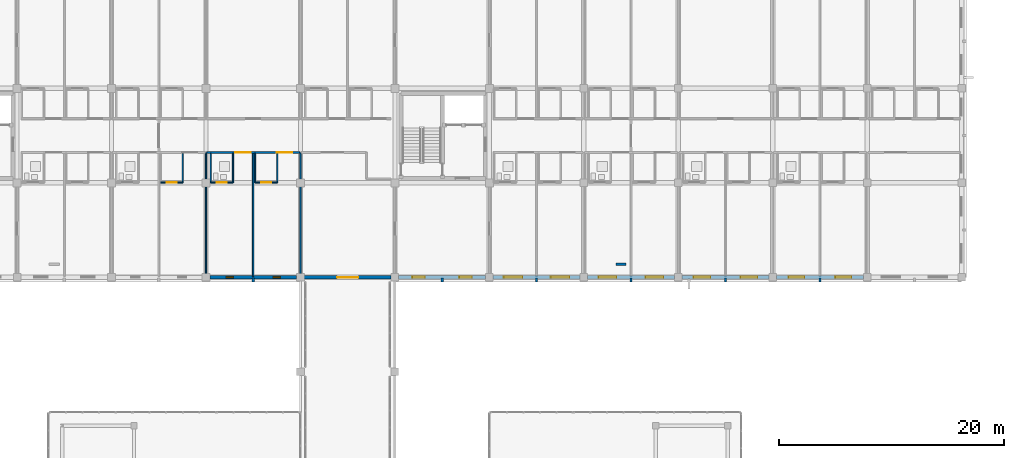
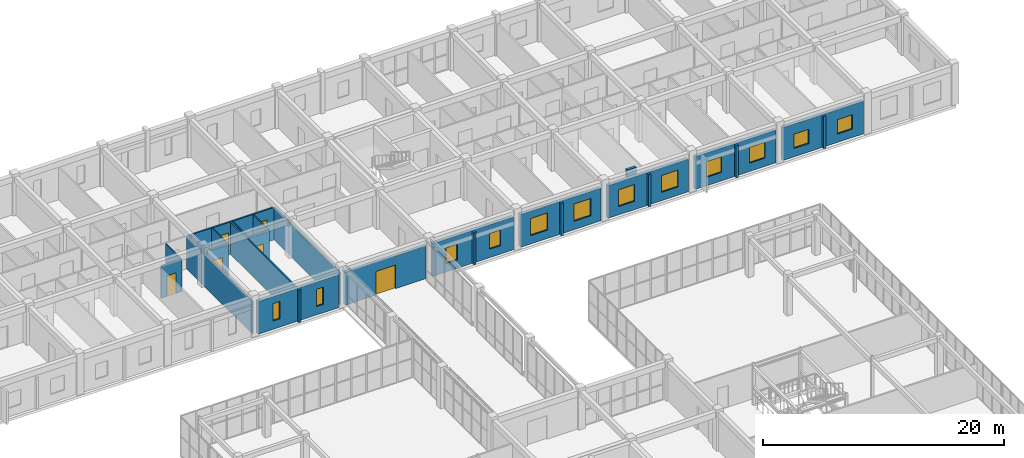
# One storey, part 119 of 140: 26 walls, 12 windows, 6 doors, 18 openings.
"""IFC4 building model written with IfcOpenShell, lengths in metres."""

from ifc_helpers import new_model, si_unit, direction, frame, frame_2d, origin, place, context, subcontext, project, spatial, rectangle, extrude, material, layer, layer_set, type_object, element, fill, save


model = new_model("IFC4")

# Units and contexts
model_context = context("Model", 3, precision=1e-05, world=origin(), true_north=direction((0.0, 1.0)))
body_context = subcontext(model_context, "Body", "Model", "MODEL_VIEW")
ifc_project = project(units=[si_unit("LENGTHUNIT", "METRE"), si_unit("AREAUNIT", "SQUARE_METRE"), si_unit("VOLUMEUNIT", "CUBIC_METRE"), si_unit("PLANEANGLEUNIT", "RADIAN"), si_unit("MASSUNIT", "GRAM", prefix="KILO")], contexts=[model_context])

# Site, building, storey
site_placement = place(None, origin())
site = spatial("IfcSite", under=ifc_project, at=site_placement, CompositionType="ELEMENT")
building_placement = place(site_placement, origin())
building = spatial("IfcBuilding", under=site, at=building_placement, Name="Trelvath General Hospital", CompositionType="ELEMENT")
storey_placement = place(building_placement, frame((0.0, 0.0, 16.199951171875)))
storey = spatial("IfcBuildingStorey", under=building, at=storey_placement, Name="L04", CompositionType="ELEMENT", Elevation=16.199951171875)

# Walls
ifc_material_1 = material(Name="Precast concrete C40/50", Category="concrete")
ifc_layer_1 = layer(ifc_material_1, 0.199951171875)
ifc_layer_set_1 = layer_set([ifc_layer_1], Name="Precast concrete C40/50")
wall_type_1 = type_object("IfcWallType", Name="BriseSoleilRib 200", PredefinedType="ELEMENTEDWALL", material=ifc_layer_set_1)
for number, where, z_axis, x_axis, name in (
    (1, (71.39990234375, 92.324951171875, 0.0), (0.0, 0.0, 1.0), (0.0, -1.0, 0.0), "Precast Concrete Brise-Soleil Rib Fin L04-332"),
    (2, (88.199951171875, 92.324951171875, 0.0), (0.0, 0.0, 1.0), (0.0, -1.0, 0.0), "Precast Concrete Brise-Soleil Rib Fin L04-338"),
    (3, (96.60009765625, 92.324951171875, 0.0), (0.0, 0.0, 1.0), (0.0, -1.0, 0.0), "Precast Concrete Brise-Soleil Rib Fin L04-341"),
    (4, (105.0, 92.324951171875, 0.0), (0.0, 0.0, 1.0), (0.0, -1.0, 0.0), "Precast Concrete Brise-Soleil Rib Fin L04-344"),
    (5, (113.39990234375, 92.324951171875, 0.0), (0.0, 0.0, 1.0), (0.0, -1.0, 0.0), "Precast Concrete Brise-Soleil Rib Fin L04-348"),
    (6, (121.800048828125, 92.324951171875, 0.0), (0.0, 0.0, 1.0), (0.0, -1.0, 0.0), "Precast Concrete Brise-Soleil Rib Fin L04-350"),
):
    element("IfcWall", number, at=place(storey_placement, frame(where, z_axis=z_axis, x_axis=x_axis)), inside=storey, type_object=wall_type_1, Name=name, PredefinedType="ELEMENTEDWALL", context=body_context, shape_type="SweptSolid", body=[
        extrude(rectangle(XDim=0.33984375, YDim=0.199951171875, at=frame_2d((0.169921875, 0.0))), origin(), (0.0, 0.0, 1.0), 3.300048828125),
    ])

# Wall, openings, doors
ifc_material_2 = material(Name="Gypsum acoustic steel-stud partition", Category="steel")
ifc_layer_2 = layer(ifc_material_2, 0.14990234375)
ifc_layer_set_2 = layer_set([ifc_layer_2], Name="Gypsum acoustic steel-stud partition")
wall_type_2 = type_object("IfcWallType", Name="ClinicalPartition 150", PredefinedType="PARTITIONING", material=ifc_layer_set_2)
wall_1_placement = place(storey_placement, frame((67.280029296875, 103.5, 0.0), z_axis=(0.0, 0.0, 1.0), x_axis=(1.0, 0.0, 0.0)))
wall_1 = element("IfcWall", 7, at=wall_1_placement, inside=storey, type_object=wall_type_2, Name="Corridor Partition L04-1612", PredefinedType="PARTITIONING", context=body_context, shape_type="SweptSolid", body=[
    extrude(rectangle(XDim=8.239990234375, YDim=0.14990234375, at=frame_2d((4.1201171875, 0.0))), origin(), (0.0, 0.0, 1.0), 3.300048828125),
])
opening_1_placement = place(wall_1_placement, frame((2.530029296875, 0.0, 0.0)))
opening_1 = element("IfcOpeningElement", 8, at=opening_1_placement, cuts=wall_1, Name="Opening D-4-1096", PredefinedType="OPENING", context=body_context, shape_type="SweptSolid", body=[
    extrude(rectangle(XDim=1.35009765625, YDim=2.25, at=frame_2d((0.675048828125, 1.125))), frame((0.0, 0.0849609375, 0.0), z_axis=(0.0, -1.0, 0.0), x_axis=(1.0, 0.0, 0.0)), (0.0, 0.0, 1.0), 0.169921875),
])
opening_2_placement = place(wall_1_placement, frame((6.22998046875, 0.0, 0.0)))
opening_2 = element("IfcOpeningElement", 9, at=opening_2_placement, cuts=wall_1, Name="Opening D-4-1097", PredefinedType="OPENING", context=body_context, shape_type="SweptSolid", body=[
    extrude(rectangle(XDim=1.35009765625, YDim=2.25, at=frame_2d((0.675048828125, 1.125))), frame((0.0, 0.0849609375, 0.0), z_axis=(0.0, -1.0, 0.0), x_axis=(1.0, 0.0, 0.0)), (0.0, 0.0, 1.0), 0.169921875),
])
ifc_material_3 = material(Name="Airtight isolation bed door")
door_type_1 = type_object("IfcDoorType", Name="Door PatientIso 1350x2250", OperationType="NOTDEFINED", PredefinedType="DOOR", material=ifc_material_3)
door_1_placement = place(opening_1_placement, origin())
door_1 = element("IfcDoor", 10, at=door_1_placement, inside=storey, type_object=door_type_1, Name="Patient Room Door L04-1096", OperationType="SINGLE_SWING_RIGHT", OverallHeight=2.25, OverallWidth=1.35009765625, PredefinedType="DOOR", context=body_context, shape_type="SweptSolid", body=[
    extrude(rectangle(XDim=1.35009765625, YDim=2.25, at=frame_2d((0.675048828125, 1.125))), frame((0.0, 0.02490234375, 0.0), z_axis=(0.0, -1.0, 0.0), x_axis=(1.0, 0.0, 0.0)), (0.0, 0.0, 1.0), 0.050048828125),
])
fill(opening_1, door_1)
door_2_placement = place(opening_2_placement, origin())
door_2 = element("IfcDoor", 11, at=door_2_placement, inside=storey, type_object=door_type_1, Name="Patient Room Door L04-1097", OperationType="SINGLE_SWING_LEFT", OverallHeight=2.25, OverallWidth=1.35009765625, PredefinedType="DOOR", context=body_context, shape_type="SweptSolid", body=[
    extrude(rectangle(XDim=1.35009765625, YDim=2.25, at=frame_2d((0.675048828125, 1.125))), frame((0.0, 0.02490234375, 0.0), z_axis=(0.0, -1.0, 0.0), x_axis=(1.0, 0.0, 0.0)), (0.0, 0.0, 1.0), 0.050048828125),
])
fill(opening_2, door_2)

# Wall
ifc_material_4 = material(Name="Moisture-resistant tile partition")
ifc_layer_3 = layer(ifc_material_4, 0.110107421875)
ifc_layer_set_3 = layer_set([ifc_layer_3], Name="Moisture-resistant tile partition")
wall_type_3 = type_object("IfcWallType", Name="EnSuiteWetWall 110", PredefinedType="PARTITIONING", material=ifc_layer_set_3)
wall_2_placement = place(storey_placement, frame((65.139892578125, 100.820068359375, 0.0), z_axis=(0.0, 0.0, 1.0), x_axis=(0.0, 1.0, 0.0)))
element("IfcWall", 12, at=wall_2_placement, inside=storey, type_object=wall_type_3, Name="En-Suite E Wall L04-1599", PredefinedType="PARTITIONING", context=body_context, shape_type="SweptSolid", body=[
    extrude(rectangle(XDim=2.60986328125, YDim=0.110107421875, at=frame_2d((1.304931640625, 0.0))), origin(), (0.0, 0.0, 1.0), 3.300048828125),
])

# Wall, opening, door
wall_3_placement = place(storey_placement, frame((63.159912109375, 100.820068359375, 0.0), z_axis=(0.0, 0.0, 1.0), x_axis=(1.0, 0.0, 0.0)))
wall_3 = element("IfcWall", 13, at=wall_3_placement, inside=storey, type_object=wall_type_3, Name="En-Suite Bathroom Partition L04-1600", PredefinedType="PARTITIONING", context=body_context, shape_type="SweptSolid", body=[
    extrude(rectangle(XDim=1.97998046875, YDim=0.110107421875, at=frame_2d((0.989990234375, 0.0))), origin(), (0.0, 0.0, 1.0), 3.300048828125),
])
opening_3_placement = place(wall_3_placement, frame((0.5400390625, 0.0, 0.0)))
opening_3 = element("IfcOpeningElement", 14, at=opening_3_placement, cuts=wall_3, Name="Opening D-4-1090", PredefinedType="OPENING", context=body_context, shape_type="SweptSolid", body=[
    extrude(rectangle(XDim=0.89990234375, YDim=2.10009765625, at=frame_2d((0.449951171875, 1.050048828125))), frame((0.0, 0.06494140625, 0.0), z_axis=(0.0, -1.0, 0.0), x_axis=(1.0, 0.0, 0.0)), (0.0, 0.0, 1.0), 0.130126953125),
])
ifc_material_5 = material(Name="Moisture-sealed timber leaf", Category="wood")
door_type_2 = type_object("IfcDoorType", Name="Door EnSuite 900x2100", OperationType="NOTDEFINED", PredefinedType="DOOR", material=ifc_material_5)
door_3_placement = place(opening_3_placement, origin())
door_3 = element("IfcDoor", 15, at=door_3_placement, inside=storey, type_object=door_type_2, Name="En-Suite Bathroom Door L04-1090", OperationType="SINGLE_SWING_RIGHT", OverallHeight=2.10009765625, OverallWidth=0.89990234375, PredefinedType="DOOR", context=body_context, shape_type="SweptSolid", body=[
    extrude(rectangle(XDim=0.89990234375, YDim=2.10009765625, at=frame_2d((0.449951171875, 1.050048828125))), frame((0.0, 0.02490234375, 0.0), z_axis=(0.0, -1.0, 0.0), x_axis=(1.0, 0.0, 0.0)), (0.0, 0.0, 1.0), 0.050048828125),
])
fill(opening_3, door_3)

# Walls
for number, where, z_axis, x_axis, name in (
    (16, (67.6201171875, 100.820068359375, 0.0), (0.0, 0.0, 1.0), (0.0, 1.0, 0.0), "En-Suite W Wall L04-1614"),
    (17, (69.60009765625, 100.820068359375, 0.0), (0.0, 0.0, 1.0), (0.0, 1.0, 0.0), "En-Suite E Wall L04-1615"),
):
    element("IfcWall", number, at=place(storey_placement, frame(where, z_axis=z_axis, x_axis=x_axis)), inside=storey, type_object=wall_type_3, Name=name, PredefinedType="PARTITIONING", context=body_context, shape_type="SweptSolid", body=[
        extrude(rectangle(XDim=2.60986328125, YDim=0.110107421875, at=frame_2d((1.304931640625, 0.0))), origin(), (0.0, 0.0, 1.0), 3.300048828125),
    ])

# Wall, opening, door
wall_4_placement = place(storey_placement, frame((67.6201171875, 100.820068359375, 0.0), z_axis=(0.0, 0.0, 1.0), x_axis=(1.0, 0.0, 0.0)))
wall_4 = element("IfcWall", 18, at=wall_4_placement, inside=storey, type_object=wall_type_3, Name="En-Suite Bathroom Partition L04-1616", PredefinedType="PARTITIONING", context=body_context, shape_type="SweptSolid", body=[
    extrude(rectangle(XDim=1.97998046875, YDim=0.110107421875, at=frame_2d((0.989990234375, 0.0))), origin(), (0.0, 0.0, 1.0), 3.300048828125),
])
opening_4_placement = place(wall_4_placement, frame((0.5400390625, 0.0, 0.0)))
opening_4 = element("IfcOpeningElement", 19, at=opening_4_placement, cuts=wall_4, Name="Opening D-4-1098", PredefinedType="OPENING", context=body_context, shape_type="SweptSolid", body=[
    extrude(rectangle(XDim=0.89990234375, YDim=2.10009765625, at=frame_2d((0.449951171875, 1.050048828125))), frame((0.0, 0.06494140625, 0.0), z_axis=(0.0, -1.0, 0.0), x_axis=(1.0, 0.0, 0.0)), (0.0, 0.0, 1.0), 0.130126953125),
])
door_4_placement = place(opening_4_placement, origin())
door_4 = element("IfcDoor", 20, at=door_4_placement, inside=storey, type_object=door_type_2, Name="En-Suite Bathroom Door L04-1098", OperationType="SINGLE_SWING_RIGHT", OverallHeight=2.10009765625, OverallWidth=0.89990234375, PredefinedType="DOOR", context=body_context, shape_type="SweptSolid", body=[
    extrude(rectangle(XDim=0.89990234375, YDim=2.10009765625, at=frame_2d((0.449951171875, 1.050048828125))), frame((0.0, 0.02490234375, 0.0), z_axis=(0.0, -1.0, 0.0), x_axis=(1.0, 0.0, 0.0)), (0.0, 0.0, 1.0), 0.050048828125),
])
fill(opening_4, door_4)

# Walls
for number, where, z_axis, x_axis, name in (
    (21, (71.56005859375, 100.820068359375, 0.0), (0.0, 0.0, 1.0), (0.0, 1.0, 0.0), "En-Suite W Wall L04-1617"),
    (22, (73.5400390625, 100.820068359375, 0.0), (0.0, 0.0, 1.0), (0.0, 1.0, 0.0), "En-Suite E Wall L04-1618"),
):
    element("IfcWall", number, at=place(storey_placement, frame(where, z_axis=z_axis, x_axis=x_axis)), inside=storey, type_object=wall_type_3, Name=name, PredefinedType="PARTITIONING", context=body_context, shape_type="SweptSolid", body=[
        extrude(rectangle(XDim=2.60986328125, YDim=0.110107421875, at=frame_2d((1.304931640625, 0.0))), origin(), (0.0, 0.0, 1.0), 3.300048828125),
    ])

# Wall, opening, door
wall_5_placement = place(storey_placement, frame((71.56005859375, 100.820068359375, 0.0), z_axis=(0.0, 0.0, 1.0), x_axis=(1.0, 0.0, 0.0)))
wall_5 = element("IfcWall", 23, at=wall_5_placement, inside=storey, type_object=wall_type_3, Name="En-Suite Bathroom Partition L04-1619", PredefinedType="PARTITIONING", context=body_context, shape_type="SweptSolid", body=[
    extrude(rectangle(XDim=1.97998046875, YDim=0.110107421875, at=frame_2d((0.989990234375, 0.0))), origin(), (0.0, 0.0, 1.0), 3.300048828125),
])
opening_5_placement = place(wall_5_placement, frame((0.5400390625, 0.0, 0.0)))
opening_5 = element("IfcOpeningElement", 24, at=opening_5_placement, cuts=wall_5, Name="Opening D-4-1099", PredefinedType="OPENING", context=body_context, shape_type="SweptSolid", body=[
    extrude(rectangle(XDim=0.89990234375, YDim=2.10009765625, at=frame_2d((0.449951171875, 1.050048828125))), frame((0.0, 0.06494140625, 0.0), z_axis=(0.0, -1.0, 0.0), x_axis=(1.0, 0.0, 0.0)), (0.0, 0.0, 1.0), 0.130126953125),
])
door_5_placement = place(opening_5_placement, origin())
door_5 = element("IfcDoor", 25, at=door_5_placement, inside=storey, type_object=door_type_2, Name="En-Suite Bathroom Door L04-1099", OperationType="SINGLE_SWING_LEFT", OverallHeight=2.10009765625, OverallWidth=0.89990234375, PredefinedType="DOOR", context=body_context, shape_type="SweptSolid", body=[
    extrude(rectangle(XDim=0.89990234375, YDim=2.10009765625, at=frame_2d((0.449951171875, 1.050048828125))), frame((0.0, 0.02490234375, 0.0), z_axis=(0.0, -1.0, 0.0), x_axis=(1.0, 0.0, 0.0)), (0.0, 0.0, 1.0), 0.050048828125),
])
fill(opening_5, door_5)

ifc_material_6 = material(Name="Concrete C35/45", Category="concrete")
ifc_layer_4 = layer(ifc_material_6, 0.2900390625)
ifc_layer_set_4 = layer_set([ifc_layer_4], Name="Concrete C35/45")
wall_type_4 = type_object("IfcWallType", Name="ExtBushHammeredWall 290", PredefinedType="SOLIDWALL", material=ifc_layer_set_4)
wall_6_placement = place(storey_placement, frame((83.6650390625, 92.39990234375, 0.0), z_axis=(0.0, 0.0, 1.0), x_axis=(-1.0, 0.0, 0.0)))
wall_6 = element("IfcWall", 26, at=wall_6_placement, inside=storey, type_object=wall_type_4, Name="Bridge Portal Wall BRG-N-C L04", PredefinedType="SOLIDWALL", context=body_context, shape_type="SweptSolid", body=[
    extrude(rectangle(XDim=7.72998046875, YDim=0.2900390625, at=frame_2d((3.864990234375, 0.0))), origin(), (0.0, 0.0, 1.0), 3.320068359375),
])
opening_6_placement = place(wall_6_placement, frame((2.9150390625, 0.0, 0.0)))
opening_6 = element("IfcOpeningElement", 27, at=opening_6_placement, cuts=wall_6, Name="Opening BP-4-060", PredefinedType="OPENING", context=body_context, shape_type="SweptSolid", body=[
    extrude(rectangle(XDim=1.89990234375, YDim=2.39990234375, at=frame_2d((0.949951171875, 1.199951171875))), frame((0.0, 0.155029296875, 0.0), z_axis=(0.0, -1.0, 0.0), x_axis=(1.0, 0.0, 0.0)), (0.0, 0.0, 1.0), 0.31005859375),
])
ifc_material_7 = material(Name="Thermally broken glazed aluminium pair", Category="aluminium")
door_type_3 = type_object("IfcDoorType", Name="Door BridgeEntry 1900x2400", OperationType="DOUBLE_SWING_LEFT", PredefinedType="DOOR", material=ifc_material_7)
door_6_placement = place(opening_6_placement, origin())
door_6 = element("IfcDoor", 28, at=door_6_placement, inside=storey, type_object=door_type_3, Name="Glazed Bridge Portal Door BRG-N-C L04", OperationType="DOUBLE_SWING_LEFT", OverallHeight=2.39990234375, OverallWidth=1.89990234375, PredefinedType="DOOR", context=body_context, shape_type="SweptSolid", body=[
    extrude(rectangle(XDim=1.89990234375, YDim=2.39990234375, at=frame_2d((0.949951171875, 1.199951171875))), frame((0.0, 0.02490234375, 0.0), z_axis=(0.0, -1.0, 0.0), x_axis=(1.0, 0.0, 0.0)), (0.0, 0.0, 1.0), 0.050048828125),
])
fill(opening_6, door_6)

# Wall, openings, windows
ifc_material_8 = material(Name="Concrete C35/45", Category="concrete")
ifc_layer_5 = layer(ifc_material_8, 0.320068359375)
ifc_layer_set_5 = layer_set([ifc_layer_5], Name="Concrete C35/45")
wall_type_5 = type_object("IfcWallType", Name="ExtThermalWall 320", PredefinedType="SOLIDWALL", material=ifc_layer_set_5)
wall_7_placement = place(storey_placement, frame((75.264892578125, 92.39990234375, 0.0), z_axis=(0.0, 0.0, 1.0), x_axis=(-1.0, 0.0, 0.0)))
wall_7 = element("IfcWall", 29, at=wall_7_placement, inside=storey, type_object=wall_type_5, Name="Exterior Concrete Wall L04-450", PredefinedType="SOLIDWALL", context=body_context, shape_type="SweptSolid", body=[
    extrude(rectangle(XDim=7.72998046875, YDim=0.320068359375, at=frame_2d((3.864990234375, 0.0))), origin(), (0.0, 0.0, 1.0), 3.320068359375),
])
opening_7_placement = place(wall_7_placement, frame((1.452880859375, 0.0, 0.85009765625)))
opening_7 = element("IfcOpeningElement", 30, at=opening_7_placement, cuts=wall_7, Name="Opening WN-4-749", PredefinedType="OPENING", context=body_context, shape_type="SweptSolid", body=[
    extrude(rectangle(XDim=0.64990234375, YDim=1.75, at=frame_2d((0.324951171875, 0.875))), frame((0.0, 0.169921875, 0.0), z_axis=(0.0, -1.0, 0.0), x_axis=(1.0, 0.0, 0.0)), (0.0, 0.0, 1.0), 0.340087890625),
])
opening_8_placement = place(wall_7_placement, frame((5.627197265625, 0.0, 0.85009765625)))
opening_8 = element("IfcOpeningElement", 31, at=opening_8_placement, cuts=wall_7, Name="Opening WN-4-750", PredefinedType="OPENING", context=body_context, shape_type="SweptSolid", body=[
    extrude(rectangle(XDim=0.64990234375, YDim=1.75, at=frame_2d((0.324951171875, 0.875))), frame((0.0, 0.169921875, 0.0), z_axis=(0.0, -1.0, 0.0), x_axis=(1.0, 0.0, 0.0)), (0.0, 0.0, 1.0), 0.340087890625),
])
ifc_material_9 = material(Name="Low-E laminated glass", Category="glass")
window_type_1 = type_object("IfcWindowType", Name="Window SunSlot 650x1750", PartitioningType="SINGLE_PANEL", PredefinedType="WINDOW", material=ifc_material_9)
window_1_placement = place(opening_7_placement, origin())
window_1 = element("IfcWindow", 32, at=window_1_placement, inside=storey, type_object=window_type_1, Name="Solar Reveal Window L04-749", OverallHeight=1.75, OverallWidth=0.64990234375, PartitioningType="SINGLE_PANEL", PredefinedType="WINDOW", context=body_context, shape_type="SweptSolid", body=[
    extrude(rectangle(XDim=0.64990234375, YDim=1.75, at=frame_2d((0.324951171875, 0.875))), frame((0.0, 0.030029296875, 0.0), z_axis=(0.0, -1.0, 0.0), x_axis=(1.0, 0.0, 0.0)), (0.0, 0.0, 1.0), 0.06005859375),
])
fill(opening_7, window_1)
window_2_placement = place(opening_8_placement, origin())
window_2 = element("IfcWindow", 33, at=window_2_placement, inside=storey, type_object=window_type_1, Name="Solar Reveal Window L04-750", OverallHeight=1.75, OverallWidth=0.64990234375, PartitioningType="SINGLE_PANEL", PredefinedType="WINDOW", context=body_context, shape_type="SweptSolid", body=[
    extrude(rectangle(XDim=0.64990234375, YDim=1.75, at=frame_2d((0.324951171875, 0.875))), frame((0.0, 0.030029296875, 0.0), z_axis=(0.0, -1.0, 0.0), x_axis=(1.0, 0.0, 0.0)), (0.0, 0.0, 1.0), 0.06005859375),
])
fill(opening_8, window_2)

wall_8_placement = place(storey_placement, frame((92.06494140625, 92.39990234375, 0.0), z_axis=(0.0, 0.0, 1.0), x_axis=(-1.0, 0.0, 0.0)))
wall_8 = element("IfcWall", 34, at=wall_8_placement, inside=storey, type_object=wall_type_5, Name="Exterior Concrete Wall L04-466", PredefinedType="SOLIDWALL", context=body_context, shape_type="SweptSolid", body=[
    extrude(rectangle(XDim=7.72998046875, YDim=0.320068359375, at=frame_2d((3.864990234375, 0.0))), origin(), (0.0, 0.0, 1.0), 3.320068359375),
])
opening_9_placement = place(wall_8_placement, frame((1.227783203125, 0.0, 0.85009765625)))
opening_9 = element("IfcOpeningElement", 35, at=opening_9_placement, cuts=wall_8, Name="Opening WN-4-761", PredefinedType="OPENING", context=body_context, shape_type="SweptSolid", body=[
    extrude(rectangle(XDim=1.10009765625, YDim=1.60009765625, at=frame_2d((0.550048828125, 0.800048828125))), frame((0.0, 0.169921875, 0.0), z_axis=(0.0, -1.0, 0.0), x_axis=(1.0, 0.0, 0.0)), (0.0, 0.0, 1.0), 0.340087890625),
])
opening_10_placement = place(wall_8_placement, frame((5.402099609375, 0.0, 0.85009765625)))
opening_10 = element("IfcOpeningElement", 36, at=opening_10_placement, cuts=wall_8, Name="Opening WN-4-762", PredefinedType="OPENING", context=body_context, shape_type="SweptSolid", body=[
    extrude(rectangle(XDim=1.10009765625, YDim=1.60009765625, at=frame_2d((0.550048828125, 0.800048828125))), frame((0.0, 0.169921875, 0.0), z_axis=(0.0, -1.0, 0.0), x_axis=(1.0, 0.0, 0.0)), (0.0, 0.0, 1.0), 0.340087890625),
])
ifc_material_10 = material(Name="Low-E laminated glass", Category="glass")
window_type_2 = type_object("IfcWindowType", Name="Window DeepReveal 1100x1600", PartitioningType="SINGLE_PANEL", PredefinedType="WINDOW", material=ifc_material_10)
window_3_placement = place(opening_9_placement, origin())
window_3 = element("IfcWindow", 37, at=window_3_placement, inside=storey, type_object=window_type_2, Name="Solar Reveal Window L04-761", OverallHeight=1.60009765625, OverallWidth=1.10009765625, PartitioningType="SINGLE_PANEL", PredefinedType="WINDOW", context=body_context, shape_type="SweptSolid", body=[
    extrude(rectangle(XDim=1.10009765625, YDim=1.60009765625, at=frame_2d((0.550048828125, 0.800048828125))), frame((0.0, 0.030029296875, 0.0), z_axis=(0.0, -1.0, 0.0), x_axis=(1.0, 0.0, 0.0)), (0.0, 0.0, 1.0), 0.06005859375),
])
fill(opening_9, window_3)
window_4_placement = place(opening_10_placement, origin())
window_4 = element("IfcWindow", 38, at=window_4_placement, inside=storey, type_object=window_type_2, Name="Solar Reveal Window L04-762", OverallHeight=1.60009765625, OverallWidth=1.10009765625, PartitioningType="SINGLE_PANEL", PredefinedType="WINDOW", context=body_context, shape_type="SweptSolid", body=[
    extrude(rectangle(XDim=1.10009765625, YDim=1.60009765625, at=frame_2d((0.550048828125, 0.800048828125))), frame((0.0, 0.030029296875, 0.0), z_axis=(0.0, -1.0, 0.0), x_axis=(1.0, 0.0, 0.0)), (0.0, 0.0, 1.0), 0.06005859375),
])
fill(opening_10, window_4)

wall_9_placement = place(storey_placement, frame((100.465087890625, 92.39990234375, 0.0), z_axis=(0.0, 0.0, 1.0), x_axis=(-1.0, 0.0, 0.0)))
wall_9 = element("IfcWall", 39, at=wall_9_placement, inside=storey, type_object=wall_type_5, Name="Exterior Concrete Wall L04-469", PredefinedType="SOLIDWALL", context=body_context, shape_type="SweptSolid", body=[
    extrude(rectangle(XDim=7.72998046875, YDim=0.320068359375, at=frame_2d((3.864990234375, 0.0))), origin(), (0.0, 0.0, 1.0), 3.320068359375),
])
opening_11_placement = place(wall_9_placement, frame((0.9580078125, 0.0, 0.85009765625)))
opening_11 = element("IfcOpeningElement", 40, at=opening_11_placement, cuts=wall_9, Name="Opening WN-4-767", PredefinedType="OPENING", context=body_context, shape_type="SweptSolid", body=[
    extrude(rectangle(XDim=1.639892578125, YDim=1.75, at=frame_2d((0.81982421875, 0.875))), frame((0.0, 0.169921875, 0.0), z_axis=(0.0, -1.0, 0.0), x_axis=(1.0, 0.0, 0.0)), (0.0, 0.0, 1.0), 0.340087890625),
])
opening_12_placement = place(wall_9_placement, frame((5.132080078125, 0.0, 0.85009765625)))
opening_12 = element("IfcOpeningElement", 41, at=opening_12_placement, cuts=wall_9, Name="Opening WN-4-768", PredefinedType="OPENING", context=body_context, shape_type="SweptSolid", body=[
    extrude(rectangle(XDim=1.639892578125, YDim=1.75, at=frame_2d((0.81982421875, 0.875))), frame((0.0, 0.169921875, 0.0), z_axis=(0.0, -1.0, 0.0), x_axis=(1.0, 0.0, 0.0)), (0.0, 0.0, 1.0), 0.340087890625),
])
ifc_material_11 = material(Name="Low-E laminated glass", Category="glass")
window_type_3 = type_object("IfcWindowType", Name="Window ICU 1640x1750", PartitioningType="DOUBLE_PANEL_VERTICAL", PredefinedType="WINDOW", material=ifc_material_11)
window_5_placement = place(opening_11_placement, origin())
window_5 = element("IfcWindow", 42, at=window_5_placement, inside=storey, type_object=window_type_3, Name="Solar Reveal Window L04-767", OverallHeight=1.75, OverallWidth=1.639892578125, PartitioningType="SINGLE_PANEL", PredefinedType="WINDOW", context=body_context, shape_type="SweptSolid", body=[
    extrude(rectangle(XDim=1.639892578125, YDim=1.75, at=frame_2d((0.81982421875, 0.875))), frame((0.0, 0.030029296875, 0.0), z_axis=(0.0, -1.0, 0.0), x_axis=(1.0, 0.0, 0.0)), (0.0, 0.0, 1.0), 0.06005859375),
])
fill(opening_11, window_5)
window_6_placement = place(opening_12_placement, origin())
window_6 = element("IfcWindow", 43, at=window_6_placement, inside=storey, type_object=window_type_3, Name="Solar Reveal Window L04-768", OverallHeight=1.75, OverallWidth=1.639892578125, PartitioningType="SINGLE_PANEL", PredefinedType="WINDOW", context=body_context, shape_type="SweptSolid", body=[
    extrude(rectangle(XDim=1.639892578125, YDim=1.75, at=frame_2d((0.81982421875, 0.875))), frame((0.0, 0.030029296875, 0.0), z_axis=(0.0, -1.0, 0.0), x_axis=(1.0, 0.0, 0.0)), (0.0, 0.0, 1.0), 0.06005859375),
])
fill(opening_12, window_6)

wall_10_placement = place(storey_placement, frame((108.864990234375, 92.39990234375, 0.0), z_axis=(0.0, 0.0, 1.0), x_axis=(-1.0, 0.0, 0.0)))
wall_10 = element("IfcWall", 44, at=wall_10_placement, inside=storey, type_object=wall_type_5, Name="Exterior Concrete Wall L04-472", PredefinedType="SOLIDWALL", context=body_context, shape_type="SweptSolid", body=[
    extrude(rectangle(XDim=7.72998046875, YDim=0.320068359375, at=frame_2d((3.864990234375, 0.0))), origin(), (0.0, 0.0, 1.0), 3.320068359375),
])
opening_13_placement = place(wall_10_placement, frame((0.98779296875, 0.0, 0.85009765625)))
opening_13 = element("IfcOpeningElement", 45, at=opening_13_placement, cuts=wall_10, Name="Opening WN-4-773", PredefinedType="OPENING", context=body_context, shape_type="SweptSolid", body=[
    extrude(rectangle(XDim=1.580078125, YDim=1.699951171875, at=frame_2d((0.7900390625, 0.85009765625))), frame((0.0, 0.169921875, 0.0), z_axis=(0.0, -1.0, 0.0), x_axis=(1.0, 0.0, 0.0)), (0.0, 0.0, 1.0), 0.340087890625),
])
opening_14_placement = place(wall_10_placement, frame((5.162109375, 0.0, 0.85009765625)))
opening_14 = element("IfcOpeningElement", 46, at=opening_14_placement, cuts=wall_10, Name="Opening WN-4-774", PredefinedType="OPENING", context=body_context, shape_type="SweptSolid", body=[
    extrude(rectangle(XDim=1.580078125, YDim=1.699951171875, at=frame_2d((0.7900390625, 0.85009765625))), frame((0.0, 0.169921875, 0.0), z_axis=(0.0, -1.0, 0.0), x_axis=(1.0, 0.0, 0.0)), (0.0, 0.0, 1.0), 0.340087890625),
])
ifc_material_12 = material(Name="Low-E laminated glass", Category="glass")
window_type_4 = type_object("IfcWindowType", Name="Window Recovery 1580x1700", PartitioningType="DOUBLE_PANEL_VERTICAL", PredefinedType="WINDOW", material=ifc_material_12)
window_7_placement = place(opening_13_placement, origin())
window_7 = element("IfcWindow", 47, at=window_7_placement, inside=storey, type_object=window_type_4, Name="Solar Reveal Window L04-773", OverallHeight=1.699951171875, OverallWidth=1.580078125, PartitioningType="SINGLE_PANEL", PredefinedType="WINDOW", context=body_context, shape_type="SweptSolid", body=[
    extrude(rectangle(XDim=1.580078125, YDim=1.699951171875, at=frame_2d((0.7900390625, 0.85009765625))), frame((0.0, 0.030029296875, 0.0), z_axis=(0.0, -1.0, 0.0), x_axis=(1.0, 0.0, 0.0)), (0.0, 0.0, 1.0), 0.06005859375),
])
fill(opening_13, window_7)
window_8_placement = place(opening_14_placement, origin())
window_8 = element("IfcWindow", 48, at=window_8_placement, inside=storey, type_object=window_type_4, Name="Solar Reveal Window L04-774", OverallHeight=1.699951171875, OverallWidth=1.580078125, PartitioningType="SINGLE_PANEL", PredefinedType="WINDOW", context=body_context, shape_type="SweptSolid", body=[
    extrude(rectangle(XDim=1.580078125, YDim=1.699951171875, at=frame_2d((0.7900390625, 0.85009765625))), frame((0.0, 0.030029296875, 0.0), z_axis=(0.0, -1.0, 0.0), x_axis=(1.0, 0.0, 0.0)), (0.0, 0.0, 1.0), 0.06005859375),
])
fill(opening_14, window_8)

wall_11_placement = place(storey_placement, frame((117.264892578125, 92.39990234375, 0.0), z_axis=(0.0, 0.0, 1.0), x_axis=(-1.0, 0.0, 0.0)))
wall_11 = element("IfcWall", 49, at=wall_11_placement, inside=storey, type_object=wall_type_5, Name="Exterior Concrete Wall L04-479", PredefinedType="SOLIDWALL", context=body_context, shape_type="SweptSolid", body=[
    extrude(rectangle(XDim=7.72998046875, YDim=0.320068359375, at=frame_2d((3.864990234375, 0.0))), origin(), (0.0, 0.0, 1.0), 3.320068359375),
])
opening_15_placement = place(wall_11_placement, frame((1.037841796875, 0.0, 0.85009765625)))
opening_15 = element("IfcOpeningElement", 50, at=opening_15_placement, cuts=wall_11, Name="Opening WN-4-785", PredefinedType="OPENING", context=body_context, shape_type="SweptSolid", body=[
    extrude(rectangle(XDim=1.47998046875, YDim=1.60009765625, at=frame_2d((0.739990234375, 0.800048828125))), frame((0.0, 0.169921875, 0.0), z_axis=(0.0, -1.0, 0.0), x_axis=(1.0, 0.0, 0.0)), (0.0, 0.0, 1.0), 0.340087890625),
])
opening_16_placement = place(wall_11_placement, frame((5.212158203125, 0.0, 0.85009765625)))
opening_16 = element("IfcOpeningElement", 51, at=opening_16_placement, cuts=wall_11, Name="Opening WN-4-786", PredefinedType="OPENING", context=body_context, shape_type="SweptSolid", body=[
    extrude(rectangle(XDim=1.47998046875, YDim=1.60009765625, at=frame_2d((0.739990234375, 0.800048828125))), frame((0.0, 0.169921875, 0.0), z_axis=(0.0, -1.0, 0.0), x_axis=(1.0, 0.0, 0.0)), (0.0, 0.0, 1.0), 0.340087890625),
])
ifc_material_13 = material(Name="Low-E laminated glass", Category="glass")
window_type_5 = type_object("IfcWindowType", Name="Window Clinic 1480x1600", PartitioningType="DOUBLE_PANEL_VERTICAL", PredefinedType="WINDOW", material=ifc_material_13)
window_9_placement = place(opening_15_placement, origin())
window_9 = element("IfcWindow", 52, at=window_9_placement, inside=storey, type_object=window_type_5, Name="Solar Reveal Window L04-785", OverallHeight=1.60009765625, OverallWidth=1.47998046875, PartitioningType="SINGLE_PANEL", PredefinedType="WINDOW", context=body_context, shape_type="SweptSolid", body=[
    extrude(rectangle(XDim=1.47998046875, YDim=1.60009765625, at=frame_2d((0.739990234375, 0.800048828125))), frame((0.0, 0.030029296875, 0.0), z_axis=(0.0, -1.0, 0.0), x_axis=(1.0, 0.0, 0.0)), (0.0, 0.0, 1.0), 0.06005859375),
])
fill(opening_15, window_9)
window_10_placement = place(opening_16_placement, origin())
window_10 = element("IfcWindow", 53, at=window_10_placement, inside=storey, type_object=window_type_5, Name="Solar Reveal Window L04-786", OverallHeight=1.60009765625, OverallWidth=1.47998046875, PartitioningType="SINGLE_PANEL", PredefinedType="WINDOW", context=body_context, shape_type="SweptSolid", body=[
    extrude(rectangle(XDim=1.47998046875, YDim=1.60009765625, at=frame_2d((0.739990234375, 0.800048828125))), frame((0.0, 0.030029296875, 0.0), z_axis=(0.0, -1.0, 0.0), x_axis=(1.0, 0.0, 0.0)), (0.0, 0.0, 1.0), 0.06005859375),
])
fill(opening_16, window_10)

wall_12_placement = place(storey_placement, frame((125.6650390625, 92.39990234375, 0.0), z_axis=(0.0, 0.0, 1.0), x_axis=(-1.0, 0.0, 0.0)))
wall_12 = element("IfcWall", 54, at=wall_12_placement, inside=storey, type_object=wall_type_5, Name="Exterior Concrete Wall L04-481", PredefinedType="SOLIDWALL", context=body_context, shape_type="SweptSolid", body=[
    extrude(rectangle(XDim=7.72998046875, YDim=0.320068359375, at=frame_2d((3.864990234375, 0.0))), origin(), (0.0, 0.0, 1.0), 3.320068359375),
])
opening_17_placement = place(wall_12_placement, frame((1.06787109375, 0.0, 0.85009765625)))
opening_17 = element("IfcOpeningElement", 55, at=opening_17_placement, cuts=wall_12, Name="Opening WN-4-789", PredefinedType="OPENING", context=body_context, shape_type="SweptSolid", body=[
    extrude(rectangle(XDim=1.419921875, YDim=1.449951171875, at=frame_2d((0.7099609375, 0.72509765625))), frame((0.0, 0.169921875, 0.0), z_axis=(0.0, -1.0, 0.0), x_axis=(1.0, 0.0, 0.0)), (0.0, 0.0, 1.0), 0.340087890625),
])
opening_18_placement = place(wall_12_placement, frame((5.2421875, 0.0, 0.85009765625)))
opening_18 = element("IfcOpeningElement", 56, at=opening_18_placement, cuts=wall_12, Name="Opening WN-4-790", PredefinedType="OPENING", context=body_context, shape_type="SweptSolid", body=[
    extrude(rectangle(XDim=1.419921875, YDim=1.449951171875, at=frame_2d((0.7099609375, 0.72509765625))), frame((0.0, 0.169921875, 0.0), z_axis=(0.0, -1.0, 0.0), x_axis=(1.0, 0.0, 0.0)), (0.0, 0.0, 1.0), 0.340087890625),
])
ifc_material_14 = material(Name="Low-E laminated glass", Category="glass")
window_type_6 = type_object("IfcWindowType", Name="Window Lab 1420x1450", PartitioningType="DOUBLE_PANEL_VERTICAL", PredefinedType="WINDOW", material=ifc_material_14)
window_11_placement = place(opening_17_placement, origin())
window_11 = element("IfcWindow", 57, at=window_11_placement, inside=storey, type_object=window_type_6, Name="Solar Reveal Window L04-789", OverallHeight=1.449951171875, OverallWidth=1.419921875, PartitioningType="SINGLE_PANEL", PredefinedType="WINDOW", context=body_context, shape_type="SweptSolid", body=[
    extrude(rectangle(XDim=1.419921875, YDim=1.449951171875, at=frame_2d((0.7099609375, 0.72509765625))), frame((0.0, 0.030029296875, 0.0), z_axis=(0.0, -1.0, 0.0), x_axis=(1.0, 0.0, 0.0)), (0.0, 0.0, 1.0), 0.06005859375),
])
fill(opening_17, window_11)
window_12_placement = place(opening_18_placement, origin())
window_12 = element("IfcWindow", 58, at=window_12_placement, inside=storey, type_object=window_type_6, Name="Solar Reveal Window L04-790", OverallHeight=1.449951171875, OverallWidth=1.419921875, PartitioningType="SINGLE_PANEL", PredefinedType="WINDOW", context=body_context, shape_type="SweptSolid", body=[
    extrude(rectangle(XDim=1.419921875, YDim=1.449951171875, at=frame_2d((0.7099609375, 0.72509765625))), frame((0.0, 0.030029296875, 0.0), z_axis=(0.0, -1.0, 0.0), x_axis=(1.0, 0.0, 0.0)), (0.0, 0.0, 1.0), 0.06005859375),
])
fill(opening_18, window_12)

# Walls
ifc_material_15 = material(Name="Masonry service chase blockwork", Category="masonry")
ifc_layer_6 = layer(ifc_material_15, 0.239990234375)
ifc_layer_set_6 = layer_set([ifc_layer_6], Name="Masonry service chase blockwork")
wall_type_6 = type_object("IfcWallType", Name="PlumbingChaseWall 240", PredefinedType="PLUMBINGWALL", material=ifc_layer_set_6)
wall_13_placement = place(storey_placement, frame((103.64990234375, 93.550048828125, 0.0), z_axis=(0.0, 0.0, 1.0), x_axis=(1.0, 0.0, 0.0)))
element("IfcWall", 59, at=wall_13_placement, inside=storey, type_object=wall_type_6, Name="Medical Gas Plumbing Chase L04-1664", PredefinedType="PLUMBINGWALL", context=body_context, shape_type="SweptSolid", body=[
    extrude(rectangle(XDim=0.900146484375, YDim=0.239990234375, at=frame_2d((0.4501953125, 0.0))), origin(), (0.0, 0.0, 1.0), 3.300048828125),
])
ifc_material_16 = material(Name="Gypsum acoustic steel-stud partition", Category="steel")
ifc_layer_7 = layer(ifc_material_16, 0.1298828125)
ifc_layer_set_7 = layer_set([ifc_layer_7], Name="Gypsum acoustic steel-stud partition")
wall_type_7 = type_object("IfcWallType", Name="WardPartition 130", PredefinedType="PARTITIONING", material=ifc_layer_set_7)
wall_14_placement = place(storey_placement, frame((67.199951171875, 92.5400390625, 0.0), z_axis=(0.0, 0.0, 1.0), x_axis=(0.0, 1.0, 0.0)))
element("IfcWall", 60, at=wall_14_placement, inside=storey, type_object=wall_type_7, Name="Inter-Bay Ward Partition S L04-1610", PredefinedType="PARTITIONING", context=body_context, shape_type="SweptSolid", body=[
    extrude(rectangle(XDim=10.93994140625, YDim=0.1298828125, at=frame_2d((5.469970703125, 0.0))), origin(), (0.0, 0.0, 1.0), 3.300048828125),
])
wall_15_placement = place(storey_placement, frame((71.39990234375, 92.5, 0.0), z_axis=(0.0, 0.0, 1.0), x_axis=(0.0, 1.0, 0.0)))
element("IfcWall", 61, at=wall_15_placement, inside=storey, type_object=wall_type_7, Name="Room Dividing Partition S L04-1613", PredefinedType="PARTITIONING", context=body_context, shape_type="SweptSolid", body=[
    extrude(rectangle(XDim=10.929931640625, YDim=0.1298828125, at=frame_2d((5.46484375, 0.0))), origin(), (0.0, 0.0, 1.0), 3.300048828125),
])
wall_16_placement = place(storey_placement, frame((75.60009765625, 92.5400390625, 0.0), z_axis=(0.0, 0.0, 1.0), x_axis=(0.0, 1.0, 0.0)))
element("IfcWall", 62, at=wall_16_placement, inside=storey, type_object=wall_type_7, Name="Inter-Bay Ward Partition S L04-1621", PredefinedType="PARTITIONING", context=body_context, shape_type="SweptSolid", body=[
    extrude(rectangle(XDim=10.93994140625, YDim=0.1298828125, at=frame_2d((5.469970703125, 0.0))), origin(), (0.0, 0.0, 1.0), 3.300048828125),
])

save(model, "model.ifc")
